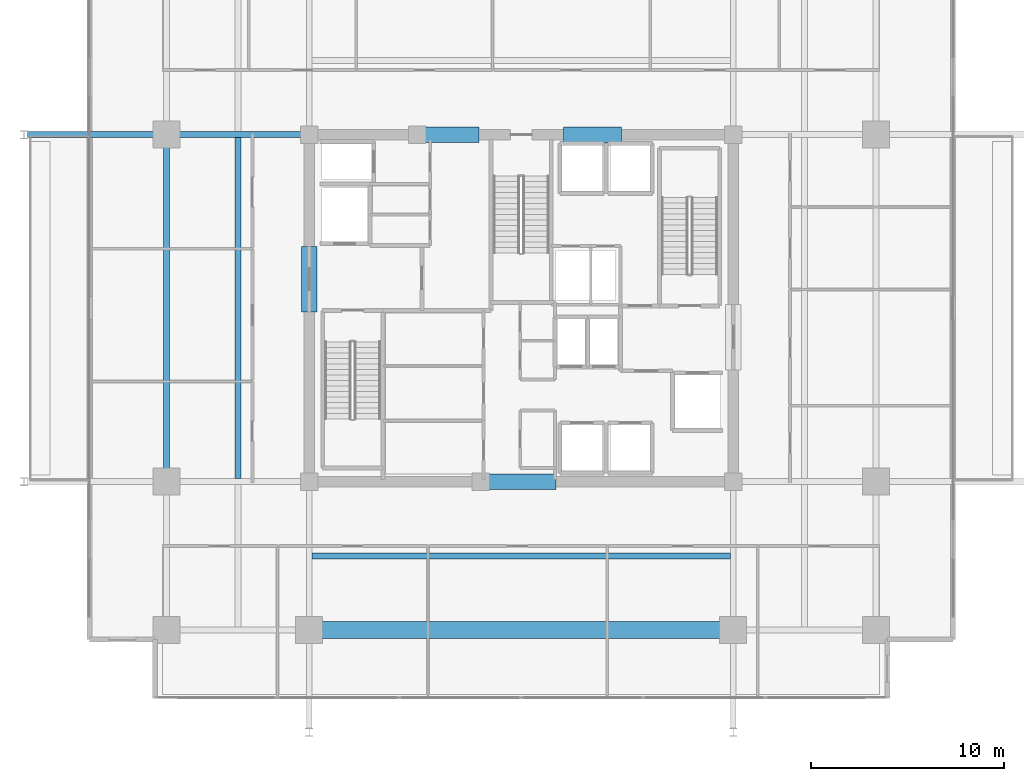
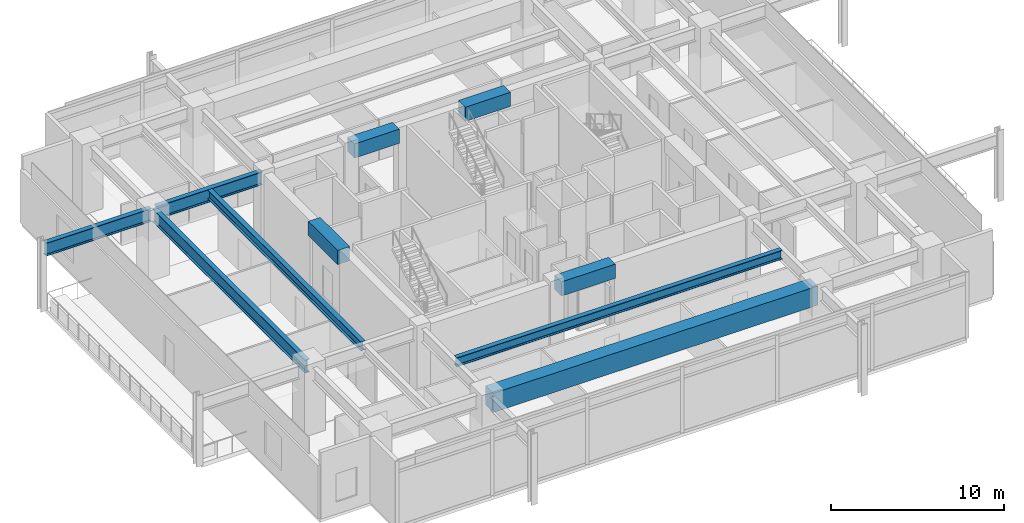
# One storey, part 4 of 19: 10 beams.
"""IFC4 building model written with IfcOpenShell, lengths in metres."""

import ifcopenshell
import ifcopenshell.guid

model = None  # the IFC model being written
_history = None  # IfcOwnerHistory: only IFC2X3 demands one
_inside = {}  # id of a spatial element -> (the spatial element, [elements in it])
_under = {}  # id of a project, library or spatial element -> (it, [spatial elements below it])
_declared = {}  # id of a project -> (the project, [libraries it declares])
_typed = {}  # id of a type object -> (the type object, [elements of that type])
_made_of = {}  # id of a material, layer set ... -> (it, [elements and type objects made of it])


def new_model(schema):
    """Start an empty IFC model of exactly this schema.

    Asked for "IFC4X3", IfcOpenShell would pick the latest addendum, in which some entities
    have other attributes; the version numbers below select the first issue.
    IFC2X3 requires an IfcOwnerHistory on every rooted entity: one is made here for all.
    """
    global model, _history
    if schema == "IFC4X3":
        model = ifcopenshell.file(schema_version=(4, 3, 0, 0))
    else:
        model = ifcopenshell.file(schema=schema)
    _inside.clear()
    _under.clear()
    _declared.clear()
    _typed.clear()
    _made_of.clear()
    _history = None
    if model.schema == "IFC2X3":
        org = make("IfcOrganization", Name="unknown")
        user = make(
            "IfcPersonAndOrganization",
            ThePerson=make("IfcPerson", FamilyName="unknown"),
            TheOrganization=org,
        )
        app = make(
            "IfcApplication",
            ApplicationDeveloper=org,
            Version="unknown",
            ApplicationFullName="unknown",
            ApplicationIdentifier="unknown",
        )
        _history = make(
            "IfcOwnerHistory",
            OwningUser=user,
            OwningApplication=app,
            ChangeAction="ADDED",
            CreationDate=0,
        )
    return model


def make(cls, **values):
    """One entity of the class cls with the attributes given. An attribute that is None is left unset."""
    return model.create_entity(
        cls, **{name: value for name, value in values.items() if value is not None}
    )


def rooted(cls, **values):
    """An entity with a GlobalId (a new one), such as an element, a storey or a relation."""
    return make(cls, GlobalId=ifcopenshell.guid.new(), OwnerHistory=_history, **values)


def si_unit(unit_type, name, prefix=None):
    """IfcSIUnit, for example si_unit("LENGTHUNIT", "METRE", prefix="MILLI")."""
    return make("IfcSIUnit", UnitType=unit_type, Prefix=prefix, Name=name)


def assignment(units):
    """IfcUnitAssignment: the units of a project."""
    return None if units is None else make("IfcUnitAssignment", Units=units)


def point(xyz):
    """IfcCartesianPoint."""
    return None if xyz is None else make("IfcCartesianPoint", Coordinates=xyz)


def direction(xyz):
    """IfcDirection."""
    return None if xyz is None else make("IfcDirection", DirectionRatios=xyz)


def frame(location, z_axis=None, x_axis=None):
    """IfcAxis2Placement3D, a coordinate frame: its origin and axes. An axis left out is left unset."""
    return make(
        "IfcAxis2Placement3D",
        Location=point(location),
        Axis=direction(z_axis),
        RefDirection=direction(x_axis),
    )


def frame_2d(location, x_axis=None):
    """IfcAxis2Placement2D, a coordinate frame in the plane: its origin and x axis."""
    return make(
        "IfcAxis2Placement2D", Location=point(location), RefDirection=direction(x_axis)
    )


def origin():
    """The frame at (0, 0, 0) with its axes left unset."""
    return frame((0.0, 0.0, 0.0))


def origin_2d():
    """The frame at (0, 0) in the plane with its x axis left unset."""
    return frame_2d((0.0, 0.0))


def place(relative_to, where):
    """IfcLocalPlacement: puts the frame where relative to a parent placement (None: the world)."""
    return make(
        "IfcLocalPlacement", PlacementRelTo=relative_to, RelativePlacement=where
    )


def context(
    kind, dimensions, precision=None, world=None, true_north=None, identifier=None
):
    """IfcGeometricRepresentationContext, for example the 3D "Model" context."""
    return make(
        "IfcGeometricRepresentationContext",
        ContextIdentifier=identifier,
        ContextType=kind,
        CoordinateSpaceDimension=dimensions,
        Precision=precision,
        WorldCoordinateSystem=world,
        TrueNorth=true_north,
    )


def subcontext(parent, identifier, kind, view, scale=None):
    """IfcGeometricRepresentationSubContext, for example "Body" below "Model"."""
    return make(
        "IfcGeometricRepresentationSubContext",
        ContextIdentifier=identifier,
        ContextType=kind,
        ParentContext=parent,
        TargetScale=scale,
        TargetView=view,
    )


def project(units=None, contexts=None):
    """IfcProject with its units and contexts."""
    return rooted(
        "IfcProject",
        Name="project",
        RepresentationContexts=contexts,
        UnitsInContext=assignment(units),
    )


def spatial(cls, under=None, at=None, **own):
    """A site, building, storey or space (cls), placed at a placement, below another one or the project."""
    s = rooted(cls, ObjectPlacement=at, **own)
    if under is not None:
        _under.setdefault(under.id(), (under, []))[1].append(s)
    return s


def profile(cls, at=None, kind="AREA", **sizes):
    """A parametric profile (cls). Its sizes go by their IFC names, for example OverallWidth=200.0."""
    return make(cls, ProfileType=kind, Position=at, **sizes)


def rectangle(**sizes):
    """IfcRectangleProfileDef."""
    return profile("IfcRectangleProfileDef", **sizes)


def i_section(**sizes):
    """IfcIShapeProfileDef."""
    return profile("IfcIShapeProfileDef", **sizes)


def extrude(swept, where, along, depth):
    """IfcExtrudedAreaSolid: the profile swept, set in the frame where, extruded along a direction by depth."""
    return make(
        "IfcExtrudedAreaSolid",
        SweptArea=swept,
        Position=where,
        ExtrudedDirection=direction(along),
        Depth=depth,
    )


def shape(context_of_items, identifier, shape_type, items):
    """IfcShapeRepresentation: the items that make up one representation, for example the "Body"."""
    return make(
        "IfcShapeRepresentation",
        ContextOfItems=context_of_items,
        RepresentationIdentifier=identifier,
        RepresentationType=shape_type,
        Items=items,
    )


def material(Name=None, Category=None):
    """IfcMaterial."""
    return make("IfcMaterial", Name=Name, Category=Category)


def material_profile(
    of_material, cross_section, Name=None, Category=None, Priority=None
):
    """IfcMaterialProfile: a cross section and its material."""
    return make(
        "IfcMaterialProfile",
        Name=Name,
        Material=of_material,
        Profile=cross_section,
        Priority=Priority,
        Category=Category,
    )


def profile_set(profiles, Name=None, composite=None):
    """IfcMaterialProfileSet."""
    return make(
        "IfcMaterialProfileSet",
        Name=Name,
        MaterialProfiles=profiles,
        CompositeProfile=composite,
    )


def made_of(thing, what):
    """Note that an element or type object is made of a material, layer set ...; save() writes the relation."""
    if what is not None:
        _made_of.setdefault(what.id(), (what, []))[1].append(thing)
    return thing


def type_object(cls, material=None, **own):
    """A type object (cls), such as IfcWallType, which elements share."""
    return made_of(rooted(cls, **own), material)


def element(
    cls,
    number,
    at=None,
    inside=None,
    cuts=None,
    type_object=None,
    material=None,
    context=None,
    identifier="Body",
    shape_type=None,
    held_by="IfcProductDefinitionShape",
    body=None,
    shapes=None,
    **own,
):
    """One element of the class cls, such as IfcWall. Its Tag is "e" and its number.

    at: its placement. inside: the storey or other place that contains it. cuts: it is an
    opening in that element (IfcRelVoidsElement). A single representation is given by context,
    identifier, shape_type and body (its items); several are given by shapes. held_by: the class
    of the entity that holds the representations. save() writes the other relations.
    """
    e = rooted(cls, Tag="e%d" % number, ObjectPlacement=at, **own)
    if body is not None:
        shapes = [shape(context, identifier, shape_type, body)]
    if shapes is not None:
        e.Representation = make(held_by, Representations=shapes)
    if inside is not None:
        _inside.setdefault(inside.id(), (inside, []))[1].append(e)
    if cuts is not None:
        rooted(
            "IfcRelVoidsElement", RelatingBuildingElement=cuts, RelatedOpeningElement=e
        )
    if type_object is not None:
        _typed.setdefault(type_object.id(), (type_object, []))[1].append(e)
    return made_of(e, material)


def aggregate(whole, parts):
    """IfcRelAggregates: a whole, such as a stair, and the parts it consists of."""
    return rooted("IfcRelAggregates", RelatingObject=whole, RelatedObjects=parts)


def save(model, path):
    """Write the relations noted so far, then the file.

    IfcRelAggregates (storeys below a building ...), IfcRelContainedInSpatialStructure (elements
    in a storey), IfcRelDefinesByType, IfcRelAssociatesMaterial and IfcRelDeclares: one each for
    every whole, place, type object, material and project.
    """
    for whole, parts in _under.values():
        aggregate(whole, parts)
    for where, things in _inside.values():
        rooted(
            "IfcRelContainedInSpatialStructure",
            RelatedElements=things,
            RelatingStructure=where,
        )
    for kind, things in _typed.values():
        rooted("IfcRelDefinesByType", RelatedObjects=things, RelatingType=kind)
    for what, things in _made_of.values():
        rooted("IfcRelAssociatesMaterial", RelatedObjects=things, RelatingMaterial=what)
    for by, libraries in _declared.values():
        rooted("IfcRelDeclares", RelatingContext=by, RelatedDefinitions=libraries)
    model.write(path)


model = new_model("IFC4")

# Units and contexts
model_context = context("Model", 3, precision=1e-05, world=origin(), true_north=direction((0.0, 1.0)))
body_context = subcontext(model_context, "Body", "Model", "MODEL_VIEW")
ifc_project = project(units=[si_unit("LENGTHUNIT", "METRE"), si_unit("AREAUNIT", "SQUARE_METRE"), si_unit("VOLUMEUNIT", "CUBIC_METRE"), si_unit("PLANEANGLEUNIT", "RADIAN"), si_unit("MASSUNIT", "GRAM", prefix="KILO")], contexts=[model_context])

# Site, building, storey
site_placement = place(None, origin())
site = spatial("IfcSite", under=ifc_project, at=site_placement, CompositionType="ELEMENT")
building_placement = place(site_placement, origin())
building = spatial("IfcBuilding", under=site, at=building_placement, Name="Kovane Verandah Tower", CompositionType="ELEMENT")
storey_placement = place(building_placement, frame((0.0, 0.0, 184.39990234375)))
storey = spatial("IfcBuildingStorey", under=building, at=storey_placement, Name="L43", CompositionType="ELEMENT", Elevation=184.39990234375)

# Beams
ifc_material_1 = material(Name="Concrete C60/75", Category="concrete")
ifc_material_profile_1 = material_profile(ifc_material_1, rectangle(XDim=0.800048828125, YDim=1.0, at=origin_2d()), Name="RCB800x1000")
ifc_profile_set_1 = profile_set([ifc_material_profile_1], Name="Concrete C60/75")
beam_type_1 = type_object("IfcBeamType", Name="BM-LINTEL-800x1000", PredefinedType="LINTEL", material=ifc_profile_set_1)
beam_1_placement = place(storey_placement, frame((38.199951171875, 18.5, 4.2001953125), z_axis=(1.0, 0.0, 0.0), x_axis=(0.0, 1.0, 0.0)))
element("IfcBeam", 1, at=beam_1_placement, inside=storey, type_object=beam_type_1, Name="L43 Core Coupling Lintel CL-S", PredefinedType="LINTEL", context=body_context, shape_type="SweptSolid", body=[
    extrude(rectangle(XDim=0.800048828125, YDim=1.0, at=origin_2d()), origin(), (0.0, 0.0, 1.0), 3.60009765625),
])
for number, where, z_axis, x_axis, name in (
    (2, (34.800048828125, 36.5, 4.2001953125), (1.0, 0.0, 0.0), (0.0, 1.0, 0.0), "L43 Core Coupling Lintel CL-N1"),
    (3, (42.199951171875, 36.5, 4.2001953125), (1.0, 0.0, 0.0), (0.0, 1.0, 0.0), "L43 Core Coupling Lintel CL-N2"),
):
    element("IfcBeam", number, at=place(storey_placement, frame(where, z_axis=z_axis, x_axis=x_axis)), inside=storey, type_object=beam_type_1, Name=name, PredefinedType="LINTEL", context=body_context, shape_type="SweptSolid", body=[
        extrude(rectangle(XDim=0.800048828125, YDim=1.0, at=origin_2d()), origin(), (0.0, 0.0, 1.0), 3.0),
    ])
beam_2_placement = place(storey_placement, frame((29.0, 27.300048828125, 4.2001953125), z_axis=(0.0, 1.0, 0.0), x_axis=(-1.0, 0.0, 0.0)))
element("IfcBeam", 4, at=beam_2_placement, inside=storey, type_object=beam_type_1, Name="L43 Core Coupling Lintel CL-W", PredefinedType="LINTEL", context=body_context, shape_type="SweptSolid", body=[
    extrude(rectangle(XDim=0.800048828125, YDim=1.0, at=origin_2d()), origin(), (0.0, 0.0, 1.0), 3.39990234375),
])
ifc_material_2 = material(Name="Concrete C80/95", Category="concrete")
ifc_material_profile_2 = material_profile(ifc_material_2, rectangle(XDim=0.89990234375, YDim=1.35009765625, at=origin_2d()), Name="RCB900x1350")
ifc_profile_set_2 = profile_set([ifc_material_profile_2], Name="Concrete C80/95")
beam_type_2 = type_object("IfcBeamType", Name="BM-TR-900x1350", PredefinedType="BEAM", material=ifc_profile_set_2)
beam_3_placement = place(storey_placement, frame((29.179931640625, 10.800048828125, 4.025146484375), z_axis=(1.0, 0.0, 0.0), x_axis=(0.0, 1.0, 0.0)))
element("IfcBeam", 5, at=beam_3_placement, inside=storey, type_object=beam_type_2, Name="L43 Primary Tower Girder G-RS2", PredefinedType="BEAM", context=body_context, shape_type="SweptSolid", body=[
    extrude(rectangle(XDim=0.89990234375, YDim=1.35009765625, at=origin_2d()), origin(), (0.0, 0.0, 1.0), 21.64013671875),
])
ifc_material_3 = material(Name="Steel S460", Category="steel")
ifc_material_profile_3 = material_profile(ifc_material_3, i_section(OverallWidth=0.311279296875, OverallDepth=0.6357421875, WebThickness=0.018310546875, FlangeThickness=0.031494140625, FilletRadius=0.0166015625, at=origin_2d()), Name="UB610x305x238")
ifc_profile_set_3 = profile_set([ifc_material_profile_3], Name="Steel S460")
beam_type_3 = type_object("IfcBeamType", Name="BM-UB610x238", PredefinedType="BEAM", material=ifc_profile_set_3)
beam_4_placement = place(storey_placement, frame((29.15185546875, 14.64990234375, 4.382080078125), z_axis=(1.0, 0.0, 0.0), x_axis=(0.0, 1.0, 0.0)))
element("IfcBeam", 6, at=beam_4_placement, inside=storey, type_object=beam_type_3, Name="L43 Secondary Composite Joist J-S1", PredefinedType="BEAM", context=body_context, shape_type="SweptSolid", body=[
    extrude(i_section(OverallWidth=0.311279296875, OverallDepth=0.6357421875, WebThickness=0.018310546875, FlangeThickness=0.031494140625, FilletRadius=0.0166015625, at=origin_2d()), origin(), (0.0, 0.0, 1.0), 21.6962890625),
])
beam_5_placement = place(storey_placement, frame((25.300048828125, 18.65185546875, 4.382080078125), z_axis=(0.0, 1.0, 0.0), x_axis=(-1.0, 0.0, 0.0)))
element("IfcBeam", 7, at=beam_5_placement, inside=storey, type_object=beam_type_3, Name="L43 Secondary Composite Joist J-W1", PredefinedType="BEAM", context=body_context, shape_type="SweptSolid", body=[
    extrude(i_section(OverallWidth=0.311279296875, OverallDepth=0.6357421875, WebThickness=0.018310546875, FlangeThickness=0.031494140625, FilletRadius=0.0166015625, at=origin_2d()), origin(), (0.0, 0.0, 1.0), 17.6962890625),
])
ifc_material_profile_4 = material_profile(ifc_material_3, i_section(OverallWidth=0.3076171875, OverallDepth=0.926513671875, WebThickness=0.01953125, FlangeThickness=0.031982421875, FilletRadius=0.01904296875, at=origin_2d()), Name="UB914x305x289")
ifc_profile_set_4 = profile_set([ifc_material_profile_4], Name="Steel S460")
beam_type_4 = type_object("IfcBeamType", Name="BM-UB914x289", PredefinedType="BEAM", material=ifc_profile_set_4)
beam_6_placement = place(storey_placement, frame((21.60009765625, 18.679931640625, 4.23681640625), z_axis=(0.0, 1.0, 0.0), x_axis=(-1.0, 0.0, 0.0)))
element("IfcBeam", 8, at=beam_6_placement, inside=storey, type_object=beam_type_4, Name="L43 Primary Tower Girder G-RW2", PredefinedType="BEAM", context=body_context, shape_type="SweptSolid", body=[
    extrude(i_section(OverallWidth=0.3076171875, OverallDepth=0.926513671875, WebThickness=0.01953125, FlangeThickness=0.031982421875, FilletRadius=0.01904296875, at=origin_2d()), origin(), (0.0, 0.0, 1.0), 17.64013671875),
])
for number, where, z_axis, x_axis, name in (
    (9, (28.820068359375, 36.5, 4.23681640625), (-1.0, 0.0, 0.0), (0.0, -1.0, 0.0), "L43 Primary Tower Girder G-W2"),
    (10, (21.419921875, 36.5, 4.23681640625), (-1.0, 0.0, 0.0), (0.0, -1.0, 0.0), "L43 Primary Tower Girder G-VW2"),
):
    element("IfcBeam", number, at=place(storey_placement, frame(where, z_axis=z_axis, x_axis=x_axis)), inside=storey, type_object=beam_type_4, Name=name, PredefinedType="BEAM", context=body_context, shape_type="SweptSolid", body=[
        extrude(i_section(OverallWidth=0.3076171875, OverallDepth=0.926513671875, WebThickness=0.01953125, FlangeThickness=0.031982421875, FilletRadius=0.01904296875, at=origin_2d()), origin(), (0.0, 0.0, 1.0), 7.0400390625),
    ])

save(model, "model.ifc")
